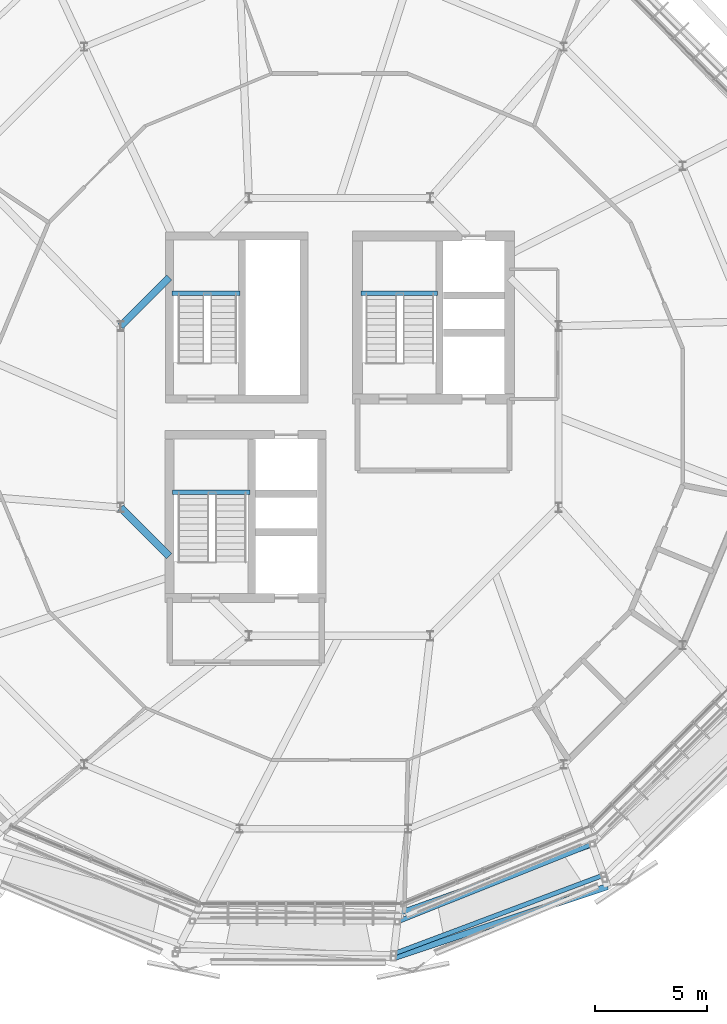
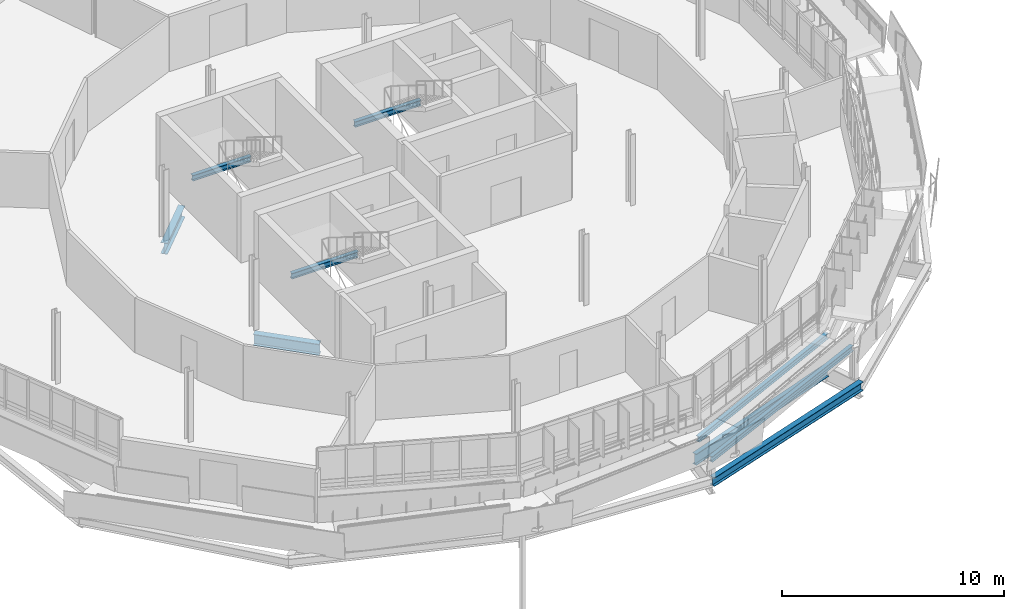
# One storey, part 9 of 38: 9 beams.
"""IFC4 building model written with IfcOpenShell, lengths in metres."""

import ifcopenshell
import ifcopenshell.guid

model = None  # the IFC model being written
_history = None  # IfcOwnerHistory: only IFC2X3 demands one
_inside = {}  # id of a spatial element -> (the spatial element, [elements in it])
_under = {}  # id of a project, library or spatial element -> (it, [spatial elements below it])
_declared = {}  # id of a project -> (the project, [libraries it declares])
_typed = {}  # id of a type object -> (the type object, [elements of that type])
_made_of = {}  # id of a material, layer set ... -> (it, [elements and type objects made of it])


def new_model(schema):
    """Start an empty IFC model of exactly this schema.

    Asked for "IFC4X3", IfcOpenShell would pick the latest addendum, in which some entities
    have other attributes; the version numbers below select the first issue.
    IFC2X3 requires an IfcOwnerHistory on every rooted entity: one is made here for all.
    """
    global model, _history
    if schema == "IFC4X3":
        model = ifcopenshell.file(schema_version=(4, 3, 0, 0))
    else:
        model = ifcopenshell.file(schema=schema)
    _inside.clear()
    _under.clear()
    _declared.clear()
    _typed.clear()
    _made_of.clear()
    _history = None
    if model.schema == "IFC2X3":
        org = make("IfcOrganization", Name="unknown")
        user = make(
            "IfcPersonAndOrganization",
            ThePerson=make("IfcPerson", FamilyName="unknown"),
            TheOrganization=org,
        )
        app = make(
            "IfcApplication",
            ApplicationDeveloper=org,
            Version="unknown",
            ApplicationFullName="unknown",
            ApplicationIdentifier="unknown",
        )
        _history = make(
            "IfcOwnerHistory",
            OwningUser=user,
            OwningApplication=app,
            ChangeAction="ADDED",
            CreationDate=0,
        )
    return model


def make(cls, **values):
    """One entity of the class cls with the attributes given. An attribute that is None is left unset."""
    return model.create_entity(
        cls, **{name: value for name, value in values.items() if value is not None}
    )


def rooted(cls, **values):
    """An entity with a GlobalId (a new one), such as an element, a storey or a relation."""
    return make(cls, GlobalId=ifcopenshell.guid.new(), OwnerHistory=_history, **values)


def si_unit(unit_type, name, prefix=None):
    """IfcSIUnit, for example si_unit("LENGTHUNIT", "METRE", prefix="MILLI")."""
    return make("IfcSIUnit", UnitType=unit_type, Prefix=prefix, Name=name)


def derived_unit(unit_type, elements):
    """IfcDerivedUnit: a product of units, each with its exponent."""
    return make(
        "IfcDerivedUnit",
        Elements=[
            make("IfcDerivedUnitElement", Unit=unit, Exponent=power)
            for unit, power in elements
        ],
        UnitType=unit_type,
    )


def assignment(units):
    """IfcUnitAssignment: the units of a project."""
    return None if units is None else make("IfcUnitAssignment", Units=units)


def point(xyz):
    """IfcCartesianPoint."""
    return None if xyz is None else make("IfcCartesianPoint", Coordinates=xyz)


def direction(xyz):
    """IfcDirection."""
    return None if xyz is None else make("IfcDirection", DirectionRatios=xyz)


def frame(location, z_axis=None, x_axis=None):
    """IfcAxis2Placement3D, a coordinate frame: its origin and axes. An axis left out is left unset."""
    return make(
        "IfcAxis2Placement3D",
        Location=point(location),
        Axis=direction(z_axis),
        RefDirection=direction(x_axis),
    )


def frame_2d(location, x_axis=None):
    """IfcAxis2Placement2D, a coordinate frame in the plane: its origin and x axis."""
    return make(
        "IfcAxis2Placement2D", Location=point(location), RefDirection=direction(x_axis)
    )


def origin():
    """The frame at (0, 0, 0) with its axes left unset."""
    return frame((0.0, 0.0, 0.0))


def origin_2d():
    """The frame at (0, 0) in the plane with its x axis left unset."""
    return frame_2d((0.0, 0.0))


def place(relative_to, where):
    """IfcLocalPlacement: puts the frame where relative to a parent placement (None: the world)."""
    return make(
        "IfcLocalPlacement", PlacementRelTo=relative_to, RelativePlacement=where
    )


def context(
    kind, dimensions, precision=None, world=None, true_north=None, identifier=None
):
    """IfcGeometricRepresentationContext, for example the 3D "Model" context."""
    return make(
        "IfcGeometricRepresentationContext",
        ContextIdentifier=identifier,
        ContextType=kind,
        CoordinateSpaceDimension=dimensions,
        Precision=precision,
        WorldCoordinateSystem=world,
        TrueNorth=true_north,
    )


def subcontext(parent, identifier, kind, view, scale=None):
    """IfcGeometricRepresentationSubContext, for example "Body" below "Model"."""
    return make(
        "IfcGeometricRepresentationSubContext",
        ContextIdentifier=identifier,
        ContextType=kind,
        ParentContext=parent,
        TargetScale=scale,
        TargetView=view,
    )


def project(units=None, contexts=None):
    """IfcProject with its units and contexts."""
    return rooted(
        "IfcProject",
        Name="project",
        RepresentationContexts=contexts,
        UnitsInContext=assignment(units),
    )


def spatial(cls, under=None, at=None, **own):
    """A site, building, storey or space (cls), placed at a placement, below another one or the project."""
    s = rooted(cls, ObjectPlacement=at, **own)
    if under is not None:
        _under.setdefault(under.id(), (under, []))[1].append(s)
    return s


def profile(cls, at=None, kind="AREA", **sizes):
    """A parametric profile (cls). Its sizes go by their IFC names, for example OverallWidth=200.0."""
    return make(cls, ProfileType=kind, Position=at, **sizes)


def i_section(**sizes):
    """IfcIShapeProfileDef."""
    return profile("IfcIShapeProfileDef", **sizes)


def extrude(swept, where, along, depth):
    """IfcExtrudedAreaSolid: the profile swept, set in the frame where, extruded along a direction by depth."""
    return make(
        "IfcExtrudedAreaSolid",
        SweptArea=swept,
        Position=where,
        ExtrudedDirection=direction(along),
        Depth=depth,
    )


def shape(context_of_items, identifier, shape_type, items):
    """IfcShapeRepresentation: the items that make up one representation, for example the "Body"."""
    return make(
        "IfcShapeRepresentation",
        ContextOfItems=context_of_items,
        RepresentationIdentifier=identifier,
        RepresentationType=shape_type,
        Items=items,
    )


def material(Name=None, Category=None):
    """IfcMaterial."""
    return make("IfcMaterial", Name=Name, Category=Category)


def material_profile(
    of_material, cross_section, Name=None, Category=None, Priority=None
):
    """IfcMaterialProfile: a cross section and its material."""
    return make(
        "IfcMaterialProfile",
        Name=Name,
        Material=of_material,
        Profile=cross_section,
        Priority=Priority,
        Category=Category,
    )


def profile_set(profiles, Name=None, composite=None):
    """IfcMaterialProfileSet."""
    return make(
        "IfcMaterialProfileSet",
        Name=Name,
        MaterialProfiles=profiles,
        CompositeProfile=composite,
    )


def made_of(thing, what):
    """Note that an element or type object is made of a material, layer set ...; save() writes the relation."""
    if what is not None:
        _made_of.setdefault(what.id(), (what, []))[1].append(thing)
    return thing


def type_object(cls, material=None, **own):
    """A type object (cls), such as IfcWallType, which elements share."""
    return made_of(rooted(cls, **own), material)


def element(
    cls,
    number,
    at=None,
    inside=None,
    cuts=None,
    type_object=None,
    material=None,
    context=None,
    identifier="Body",
    shape_type=None,
    held_by="IfcProductDefinitionShape",
    body=None,
    shapes=None,
    **own,
):
    """One element of the class cls, such as IfcWall. Its Tag is "e" and its number.

    at: its placement. inside: the storey or other place that contains it. cuts: it is an
    opening in that element (IfcRelVoidsElement). A single representation is given by context,
    identifier, shape_type and body (its items); several are given by shapes. held_by: the class
    of the entity that holds the representations. save() writes the other relations.
    """
    e = rooted(cls, Tag="e%d" % number, ObjectPlacement=at, **own)
    if body is not None:
        shapes = [shape(context, identifier, shape_type, body)]
    if shapes is not None:
        e.Representation = make(held_by, Representations=shapes)
    if inside is not None:
        _inside.setdefault(inside.id(), (inside, []))[1].append(e)
    if cuts is not None:
        rooted(
            "IfcRelVoidsElement", RelatingBuildingElement=cuts, RelatedOpeningElement=e
        )
    if type_object is not None:
        _typed.setdefault(type_object.id(), (type_object, []))[1].append(e)
    return made_of(e, material)


def aggregate(whole, parts):
    """IfcRelAggregates: a whole, such as a stair, and the parts it consists of."""
    return rooted("IfcRelAggregates", RelatingObject=whole, RelatedObjects=parts)


def save(model, path):
    """Write the relations noted so far, then the file.

    IfcRelAggregates (storeys below a building ...), IfcRelContainedInSpatialStructure (elements
    in a storey), IfcRelDefinesByType, IfcRelAssociatesMaterial and IfcRelDeclares: one each for
    every whole, place, type object, material and project.
    """
    for whole, parts in _under.values():
        aggregate(whole, parts)
    for where, things in _inside.values():
        rooted(
            "IfcRelContainedInSpatialStructure",
            RelatedElements=things,
            RelatingStructure=where,
        )
    for kind, things in _typed.values():
        rooted("IfcRelDefinesByType", RelatedObjects=things, RelatingType=kind)
    for what, things in _made_of.values():
        rooted("IfcRelAssociatesMaterial", RelatedObjects=things, RelatingMaterial=what)
    for by, libraries in _declared.values():
        rooted("IfcRelDeclares", RelatingContext=by, RelatedDefinitions=libraries)
    model.write(path)


model = new_model("IFC4")

# Units and contexts
model_context = context("Model", 3, precision=1e-05, world=origin(), true_north=direction((0.0, 1.0)))
body_context = subcontext(model_context, "Body", "Model", "MODEL_VIEW")
ifc_project = project(units=[si_unit("LENGTHUNIT", "METRE"), si_unit("AREAUNIT", "SQUARE_METRE"), si_unit("VOLUMEUNIT", "CUBIC_METRE"), si_unit("PLANEANGLEUNIT", "RADIAN"), si_unit("MASSUNIT", "GRAM", prefix="KILO"), derived_unit("THERMALTRANSMITTANCEUNIT", [(si_unit("MASSUNIT", "GRAM", prefix="KILO"), 1), (si_unit("TIMEUNIT", "SECOND"), -3), (si_unit("THERMODYNAMICTEMPERATUREUNIT", "KELVIN"), -1)])], contexts=[model_context])

# Site, building, storey
site_placement = place(None, origin())
site = spatial("IfcSite", under=ifc_project, at=site_placement, CompositionType="ELEMENT")
building_placement = place(site_placement, origin())
building = spatial("IfcBuilding", under=site, at=building_placement, Name="Makaiwela Harbour Ferry Terminal", CompositionType="ELEMENT")
storey_placement = place(building_placement, frame((0.0, 0.0, 17.699951171875)))
storey = spatial("IfcBuildingStorey", under=building, at=storey_placement, Name="L04", CompositionType="ELEMENT", Elevation=17.699951171875)

# Beams
ifc_material = material(Name="Steel ASTM A992 Grade 50", Category="steel")
ifc_material_profile_1 = material_profile(ifc_material, i_section(OverallWidth=0.324951171875, OverallDepth=0.615966796875, WebThickness=0.013916015625, FlangeThickness=0.021484375, at=origin_2d()), Name="W24X117")
ifc_profile_set_1 = profile_set([ifc_material_profile_1], Name="Steel ASTM A992 Grade 50")
beam_type_1 = type_object("IfcBeamType", Name="STR-GRD-W24X117", PredefinedType="USERDEFINED", material=ifc_profile_set_1)
for number, where, z_axis, x_axis, name in (
    (1, (30.179931640625, 73.82958984375, -0.56298828125), (-0.707106781187, -0.707106781187, 0.0), (0.707106781187, -0.707106781187, 0.0), "Drum inner ring girder 374"),
    (2, (28.0068359375, 63.543701171875, -0.56298828125), (0.707106781187, -0.707106781187, 0.0), (0.707106781187, 0.707106781187, 0.0), "Drum inner ring girder 376"),
):
    element("IfcBeam", number, at=place(storey_placement, frame(where, z_axis=z_axis, x_axis=x_axis)), inside=storey, type_object=beam_type_1, Name=name, ObjectType="GIRDER", PredefinedType="USERDEFINED", context=body_context, shape_type="SweptSolid", body=[
        extrude(i_section(OverallWidth=0.324951171875, OverallDepth=0.615966796875, WebThickness=0.013916015625, FlangeThickness=0.021484375, at=origin_2d()), origin(), (0.0, 0.0, 1.0), 3.0732421875),
    ])
ifc_material_profile_2 = material_profile(ifc_material, i_section(OverallWidth=0.22900390625, OverallDepth=0.612060546875, WebThickness=0.011962890625, FlangeThickness=0.01953125, at=origin_2d()), Name="W24X84")
ifc_profile_set_2 = profile_set([ifc_material_profile_2], Name="Steel ASTM A992 Grade 50")
beam_type_2 = type_object("IfcBeamType", Name="STR-GRD-W24X84", PredefinedType="USERDEFINED", material=ifc_profile_set_2)
beam_1_placement = place(storey_placement, frame((40.431884765625, 45.3955078125, -0.56103515625), z_axis=(0.942345758872, 0.334640808533, 0.0), x_axis=(-0.334640808533, 0.942345758872, 0.0)))
element("IfcBeam", 3, at=beam_1_placement, inside=storey, type_object=beam_type_2, Name="Drum overhang tie girder 476", ObjectType="GIRDER", PredefinedType="USERDEFINED", context=body_context, shape_type="SweptSolid", body=[
    extrude(i_section(OverallWidth=0.22900390625, OverallDepth=0.612060546875, WebThickness=0.011962890625, FlangeThickness=0.01953125, at=origin_2d()), origin(), (0.0, 0.0, 1.0), 9.206298828125),
])
ifc_material_profile_3 = material_profile(ifc_material, i_section(OverallWidth=0.205078125, OverallDepth=0.31005859375, WebThickness=0.009521484375, FlangeThickness=0.016357421875, at=origin_2d()), Name="W12X50")
ifc_profile_set_3 = profile_set([ifc_material_profile_3], Name="Steel ASTM A992 Grade 50")
beam_type_3 = type_object("IfcBeamType", Name="STR-LNT-W12X50", PredefinedType="LINTEL", material=ifc_profile_set_3)
beam_2_placement = place(storey_placement, frame((38.75, 73.135009765625, 1.64501953125), z_axis=(1.0, 0.0, 0.0), x_axis=(0.0, 1.0, 0.0)))
element("IfcBeam", 4, at=beam_2_placement, inside=storey, type_object=beam_type_3, Name="Stair Landing Beam ST-01-L04", PredefinedType="LINTEL", context=body_context, shape_type="SweptSolid", body=[
    extrude(i_section(OverallWidth=0.205078125, OverallDepth=0.31005859375, WebThickness=0.009521484375, FlangeThickness=0.016357421875, at=origin_2d()), origin(), (0.0, 0.0, 1.0), 3.43701171875),
])
beam_3_placement = place(storey_placement, frame((30.324951171875, 64.235107421875, 1.64501953125), z_axis=(1.0, 0.0, 0.0), x_axis=(0.0, 1.0, 0.0)))
element("IfcBeam", 5, at=beam_3_placement, inside=storey, type_object=beam_type_3, Name="Stair Landing Beam ST-02-L04", PredefinedType="LINTEL", context=body_context, shape_type="SweptSolid", body=[
    extrude(i_section(OverallWidth=0.205078125, OverallDepth=0.31005859375, WebThickness=0.009521484375, FlangeThickness=0.016357421875, at=origin_2d()), origin(), (0.0, 0.0, 1.0), 3.462158203125),
])
beam_4_placement = place(storey_placement, frame((30.304931640625, 73.135009765625, 1.64501953125), z_axis=(1.0, 0.0, 0.0), x_axis=(0.0, 1.0, 0.0)))
element("IfcBeam", 6, at=beam_4_placement, inside=storey, type_object=beam_type_3, Name="Stair Landing Beam ST-03-L04", PredefinedType="LINTEL", context=body_context, shape_type="SweptSolid", body=[
    extrude(i_section(OverallWidth=0.205078125, OverallDepth=0.31005859375, WebThickness=0.009521484375, FlangeThickness=0.016357421875, at=origin_2d()), origin(), (0.0, 0.0, 1.0), 3.050048828125),
])
beam_5_placement = place(storey_placement, frame((40.388916015625, 45.02099609375, 0.784423828125), z_axis=(0.927381234258, 0.369388148537, 0.059299595847), x_axis=(-0.370039332441, 0.929016088368, 0.0)))
element("IfcBeam", 7, at=beam_5_placement, inside=storey, type_object=beam_type_3, Name="Coiled Ramp Stringer L04-F3-IN", PredefinedType="LINTEL", context=body_context, shape_type="SweptSolid", body=[
    extrude(i_section(OverallWidth=0.205078125, OverallDepth=0.31005859375, WebThickness=0.009521484375, FlangeThickness=0.016357421875, at=origin_2d()), origin(), (0.0, 0.0, 1.0), 9.395263671875),
])
beam_6_placement = place(storey_placement, frame((40.223876953125, 43.58349609375, 0.61181640625), z_axis=(0.933760174554, 0.350509553898, 0.072353224138), x_axis=(-0.351430628679, 0.936213924927, 0.0)))
element("IfcBeam", 8, at=beam_6_placement, inside=storey, type_object=beam_type_3, Name="Coiled Ramp Stringer L04-F3-OUT", PredefinedType="LINTEL", context=body_context, shape_type="SweptSolid", body=[
    extrude(i_section(OverallWidth=0.205078125, OverallDepth=0.31005859375, WebThickness=0.009521484375, FlangeThickness=0.016357421875, at=origin_2d()), origin(), (0.0, 0.0, 1.0), 10.0419921875),
])
ifc_material_profile_4 = material_profile(ifc_material, i_section(OverallWidth=0.283935546875, OverallDepth=0.47607421875, WebThickness=0.014892578125, FlangeThickness=0.02392578125, at=origin_2d()), Name="W18X106")
ifc_profile_set_4 = profile_set([ifc_material_profile_4], Name="Steel ASTM A992 Grade 50")
beam_type_4 = type_object("IfcBeamType", Name="STR-SPN-W18X106", PredefinedType="SPANDREL", material=ifc_profile_set_4)
beam_7_placement = place(storey_placement, frame((40.203857421875, 43.40869140625, -0.492919921875), z_axis=(0.948910377398, 0.3155457109, 0.0), x_axis=(-0.3155457109, 0.948910377398, 0.0)))
element("IfcBeam", 9, at=beam_7_placement, inside=storey, type_object=beam_type_4, Name="Drum perimeter spandrel 492", PredefinedType="SPANDREL", context=body_context, shape_type="SweptSolid", body=[
    extrude(i_section(OverallWidth=0.283935546875, OverallDepth=0.47607421875, WebThickness=0.014892578125, FlangeThickness=0.02392578125, at=origin_2d()), origin(), (0.0, 0.0, 1.0), 10.095458984375),
])

save(model, "model.ifc")
